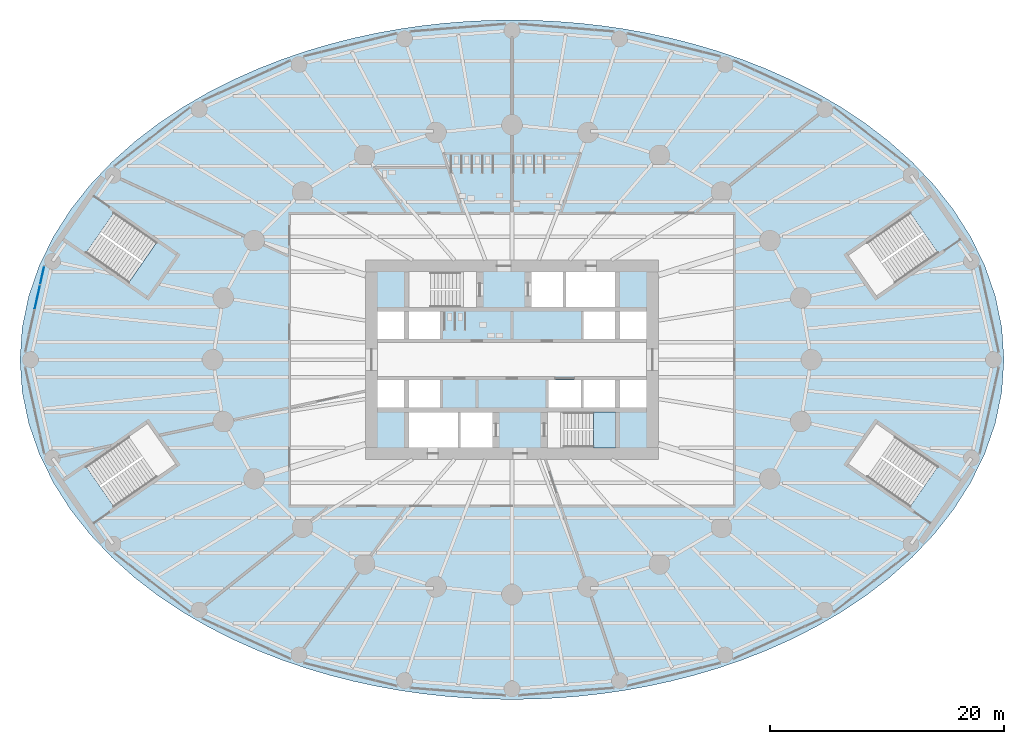
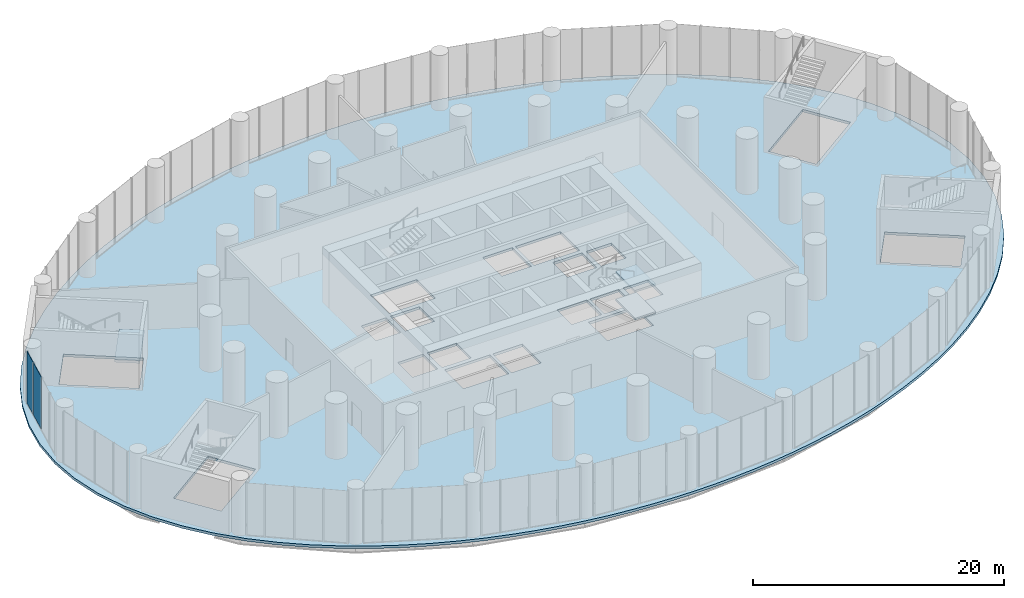
# One storey, part 14 of 21: 4 slabs, 2 plates, 3 elements without a shape of their own.
"""IFC4 building model written with IfcOpenShell, lengths in metres."""

from ifc_helpers import new_model, si_unit, direction, frame, origin, origin_2d, place, context, subcontext, project, spatial, polyline, rectangle, outline, extrude, material, layer, layer_set, type_object, element, aggregate, save


model = new_model("IFC4")

# Units and contexts
model_context = context("Model", 3, precision=1e-05, world=origin(), true_north=direction((0.0, 1.0)))
body_context = subcontext(model_context, "Body", "Model", "MODEL_VIEW")
ifc_project = project(units=[si_unit("LENGTHUNIT", "METRE"), si_unit("AREAUNIT", "SQUARE_METRE"), si_unit("VOLUMEUNIT", "CUBIC_METRE"), si_unit("PLANEANGLEUNIT", "RADIAN"), si_unit("MASSUNIT", "GRAM", prefix="KILO")], contexts=[model_context])

# Site, building, storey
site_placement = place(None, origin())
site = spatial("IfcSite", under=ifc_project, at=site_placement, CompositionType="ELEMENT")
building_placement = place(site_placement, origin())
building = spatial("IfcBuilding", under=site, at=building_placement, Name="Hankou Lantern Tower", CompositionType="ELEMENT")
storey_placement = place(building_placement, frame((0.0, 0.0, 13.800048828125)))
storey = spatial("IfcBuildingStorey", under=building, at=storey_placement, Name="L02", CompositionType="ELEMENT", Elevation=13.800048828125)

# Curtain wall, plates
ifc_material_1 = material(Name="Glass, dark grey tinted laminated", Category="glass")
curtain_wall_type = type_object("IfcCurtainWallType", Name="CWP PODIUM CURTAIN WALL", PredefinedType="USERDEFINED", material=ifc_material_1)
curtain_wall_placement = place(storey_placement, origin())
curtain_wall = element("IfcCurtainWall", 1, at=curtain_wall_placement, inside=storey, type_object=curtain_wall_type, Name="CWP L02 PC09", ObjectType="PODIUM GLAZING", PredefinedType="USERDEFINED")
ifc_material_2 = material(Name="Glass, dark grey tinted laminated", Category="glass")
ifc_layer_1 = layer(ifc_material_2, 0.037109375)
ifc_layer_set_1 = layer_set([ifc_layer_1], Name="Glass, dark grey tinted laminated")
plate_type = type_object("IfcPlateType", Name="PN2 PODIUM GLASS PANEL", PredefinedType="CURTAIN_PANEL", material=ifc_layer_set_1)
plate_1_placement = place(storey_placement, frame((-40.105224609375, 7.214599609375, 0.080078125), z_axis=(0.0, 0.0, 1.0), x_axis=(-0.215821488116, -0.976432837049, 0.0)))
plate_1 = element("IfcPlate", 2, at=plate_1_placement, type_object=plate_type, Name="CWP glass panel 1", PredefinedType="CURTAIN_PANEL", context=body_context, shape_type="SweptSolid", body=[
    extrude(rectangle(XDim=1.5869140625, YDim=0.031982421875, at=origin_2d()), origin(), (0.0, 0.0, 1.0), 5.070068359375),
])
plate_2_placement = place(storey_placement, frame((-40.52099609375, 5.333984375, 0.080078125), z_axis=(0.0, 0.0, 1.0), x_axis=(-0.215821488116, -0.976432837049, 0.0)))
plate_2 = element("IfcPlate", 3, at=plate_2_placement, type_object=plate_type, Name="CWP glass panel 2", PredefinedType="CURTAIN_PANEL", context=body_context, shape_type="SweptSolid", body=[
    extrude(rectangle(XDim=2.105224609375, YDim=0.031982421875, at=origin_2d()), origin(), (0.0, 0.0, 1.0), 5.070068359375),
])
aggregate(curtain_wall, [plate_1, plate_2])

# Slab
ifc_material_3 = material(Name="Concrete C50", Category="concrete")
ifc_layer_2 = layer(ifc_material_3, 0.25)
ifc_layer_set_2 = layer_set([ifc_layer_2], Name="Concrete C50")
slab_type_1 = type_object("IfcSlabType", Name="S2 HEAVY FLOOR SLAB 250", PredefinedType="FLOOR", material=ifc_layer_set_2)
slab_1_placement = place(storey_placement, frame((0.0, 0.0, -0.25)))
element("IfcSlab", 4, at=slab_1_placement, inside=storey, type_object=slab_type_1, Name="Floor slab L02", PredefinedType="FLOOR", context=body_context, shape_type="SweptSolid", body=[
    extrude(outline(polyline([(42.0, 0.0), (41.81201171875, 2.740478515625), (41.2568359375, 5.431640625), (40.358642578125, 8.02783203125), (39.155029296875, 10.491455078125), (37.69140625, 12.79443359375), (36.016357421875, 14.91845703125), (34.177978515625, 16.854736328125), (32.220458984375, 18.6025390625), (30.181884765625, 20.166748046875), (28.09375, 21.55712890625), (25.981689453125, 22.78515625), (23.864013671875, 23.864013671875), (21.7548828125, 24.806640625), (19.6630859375, 25.62548828125), (17.594970703125, 26.33251953125), (15.552978515625, 26.9384765625), (13.537841796875, 27.4521484375), (11.549072265625, 27.882080078125), (9.58447265625, 28.23486328125), (7.640869140625, 28.51611328125), (5.71484375, 28.730224609375), (3.80224609375, 28.880859375), (1.89892578125, 28.970458984375), (0.0, 29.0), (-1.89892578125, 28.970458984375), (-3.80224609375, 28.880859375), (-5.71484375, 28.730224609375), (-7.640869140625, 28.51611328125), (-9.58447265625, 28.23486328125), (-11.549072265625, 27.882080078125), (-13.537841796875, 27.4521484375), (-15.552978515625, 26.9384765625), (-17.594970703125, 26.33251953125), (-19.6630859375, 25.62548828125), (-21.7548828125, 24.806640625), (-23.864013671875, 23.864013671875), (-25.981689453125, 22.78515625), (-28.09375, 21.55712890625), (-30.181884765625, 20.166748046875), (-32.220458984375, 18.6025390625), (-34.177978515625, 16.854736328125), (-36.016357421875, 14.91845703125), (-37.69140625, 12.79443359375), (-39.155029296875, 10.491455078125), (-40.358642578125, 8.02783203125), (-41.2568359375, 5.431640625), (-41.81201171875, 2.740478515625), (-42.0, 0.0), (-41.81201171875, -2.740478515625), (-41.2568359375, -5.431640625), (-40.358642578125, -8.02783203125), (-39.155029296875, -10.491455078125), (-37.69140625, -12.79443359375), (-36.016357421875, -14.91845703125), (-34.177978515625, -16.854736328125), (-32.220458984375, -18.6025390625), (-30.181884765625, -20.166748046875), (-28.09375, -21.55712890625), (-25.981689453125, -22.78515625), (-23.864013671875, -23.864013671875), (-21.7548828125, -24.806640625), (-19.6630859375, -25.62548828125), (-17.594970703125, -26.33251953125), (-15.552978515625, -26.9384765625), (-13.537841796875, -27.4521484375), (-11.549072265625, -27.882080078125), (-9.58447265625, -28.23486328125), (-7.640869140625, -28.51611328125), (-5.71484375, -28.730224609375), (-3.80224609375, -28.880859375), (-1.89892578125, -28.970458984375), (0.0, -29.0), (1.89892578125, -28.970458984375), (3.80224609375, -28.880859375), (5.71484375, -28.730224609375), (7.640869140625, -28.51611328125), (9.58447265625, -28.23486328125), (11.549072265625, -27.882080078125), (13.537841796875, -27.4521484375), (15.552978515625, -26.9384765625), (17.594970703125, -26.33251953125), (19.6630859375, -25.62548828125), (21.7548828125, -24.806640625), (23.864013671875, -23.864013671875), (25.981689453125, -22.78515625), (28.09375, -21.55712890625), (30.181884765625, -20.166748046875), (32.220458984375, -18.6025390625), (34.177978515625, -16.854736328125), (36.016357421875, -14.91845703125), (37.69140625, -12.79443359375), (39.155029296875, -10.491455078125), (40.358642578125, -8.02783203125), (41.2568359375, -5.431640625), (41.81201171875, -2.740478515625), (42.0, 0.0)]), holes=[polyline([(-11.5, 4.10009765625), (-9.199951171875, 4.10009765625), (-9.199951171875, 1.75), (-11.5, 1.75), (-11.5, 4.10009765625)]), polyline([(-8.800048828125, 4.10009765625), (-6.125, 4.10009765625), (-6.125, 1.75), (-8.800048828125, 1.75), (-8.800048828125, 4.10009765625)]), polyline([(6.125, 4.10009765625), (8.800048828125, 4.10009765625), (8.800048828125, 1.75), (6.125, 1.75), (6.125, 4.10009765625)]), polyline([(9.199951171875, 4.10009765625), (11.5, 4.10009765625), (11.5, 1.75), (9.199951171875, 1.75), (9.199951171875, 4.10009765625)]), polyline([(-11.5, -1.75), (-9.199951171875, -1.75), (-9.199951171875, -4.10009765625), (-11.5, -4.10009765625), (-11.5, -1.75)]), polyline([(-8.800048828125, -1.75), (-6.125, -1.75), (-6.125, -4.10009765625), (-8.800048828125, -4.10009765625), (-8.800048828125, -1.75)]), polyline([(3.125, -1.75), (5.875, -1.75), (5.875, -4.10009765625), (3.125, -4.10009765625), (3.125, -1.75)]), polyline([(6.125, -1.75), (8.800048828125, -1.75), (8.800048828125, -4.10009765625), (6.125, -4.10009765625), (6.125, -1.75)]), polyline([(9.199951171875, -1.75), (11.5, -1.75), (11.5, -4.10009765625), (9.199951171875, -4.10009765625), (9.199951171875, -1.75)]), polyline([(1.64990234375, 7.5), (4.375, 7.5), (4.375, 4.5), (1.64990234375, 4.5), (1.64990234375, 7.5)]), polyline([(-4.375, -4.5), (-1.64990234375, -4.5), (-1.64990234375, -7.5), (-4.375, -7.5), (-4.375, -4.5)]), polyline([(-8.699951171875, 7.449951171875), (-4.449951171875, 7.449951171875), (-4.449951171875, 4.5), (-8.699951171875, 4.5), (-8.699951171875, 7.449951171875)]), polyline([(4.449951171875, -4.5), (8.699951171875, -4.5), (8.699951171875, -7.449951171875), (4.449951171875, -7.449951171875), (4.449951171875, -4.5)]), polyline([(4.625, 7.5), (8.800048828125, 7.5), (8.800048828125, 4.5), (4.625, 4.5), (4.625, 7.5)]), polyline([(-8.800048828125, -4.5), (-4.625, -4.5), (-4.625, -7.5), (-8.800048828125, -7.5), (-8.800048828125, -4.5)]), polyline([(31.104248046875, 5.451904296875), (28.7060546875, 8.899658203125), (33.968017578125, 12.56005859375), (36.366455078125, 9.112060546875), (31.104248046875, 5.451904296875)]), polyline([(-28.7060546875, 8.899658203125), (-31.104248046875, 5.451904296875), (-36.366455078125, 9.112060546875), (-33.968017578125, 12.56005859375), (-28.7060546875, 8.899658203125)]), polyline([(-31.104248046875, -5.451904296875), (-28.7060546875, -8.899658203125), (-33.968017578125, -12.56005859375), (-36.366455078125, -9.112060546875), (-31.104248046875, -5.451904296875)]), polyline([(28.7060546875, -8.899658203125), (31.104248046875, -5.451904296875), (36.366455078125, -9.112060546875), (33.968017578125, -12.56005859375), (28.7060546875, -8.899658203125)])]), origin(), (0.0, 0.0, 1.0), 0.25),
])

# Stair, slabs
ifc_material_4 = material(Name="Concrete C40", Category="concrete")
stair_type_1 = type_object("IfcStairType", Name="ST54 CORE STAIR 5400 RISE", PredefinedType="HALF_TURN_STAIR", material=ifc_material_4)
stair_1_placement = place(storey_placement, origin())
stair_1 = element("IfcStair", 5, at=stair_1_placement, inside=storey, type_object=stair_type_1, Name="Stair STB L02", PredefinedType="HALF_TURN_STAIR")
ifc_material_5 = material(Name="Concrete C40", Category="concrete")
ifc_layer_3 = layer(ifc_material_5, 0.199951171875)
ifc_layer_set_3 = layer_set([ifc_layer_3], Name="Concrete C40")
slab_type_2 = type_object("IfcSlabType", Name="SL1 STAIR LANDING 200", PredefinedType="LANDING", material=ifc_layer_set_3)
slab_2_placement = place(storey_placement, frame((0.0, 0.0, 1.14990234375)))
slab_2 = element("IfcSlab", 6, at=slab_2_placement, type_object=slab_type_2, Name="STB landing 1", PredefinedType="LANDING", context=body_context, shape_type="SweptSolid", body=[
    extrude(outline(polyline([(8.85009765625, -4.449951171875), (6.949951171875, -4.449951171875), (6.949951171875, -7.550048828125), (8.85009765625, -7.550048828125), (8.85009765625, -4.449951171875)])), origin(), (0.0, 0.0, 1.0), 0.199951171875),
])
slab_3_placement = place(storey_placement, frame((0.0, 0.0, 3.849853515625)))
slab_3 = element("IfcSlab", 7, at=slab_3_placement, type_object=slab_type_2, Name="STB landing 3", PredefinedType="LANDING", context=body_context, shape_type="SweptSolid", body=[
    extrude(outline(polyline([(8.85009765625, -4.449951171875), (6.949951171875, -4.449951171875), (6.949951171875, -7.550048828125), (8.85009765625, -7.550048828125), (8.85009765625, -4.449951171875)])), origin(), (0.0, 0.0, 1.0), 0.2001953125),
])
aggregate(stair_1, [slab_2, slab_3])

# Stair, slab
ifc_material_6 = material(Name="Concrete C40", Category="concrete")
stair_type_2 = type_object("IfcStairType", Name="PS54 PODIUM STAIR 5400 RISE", PredefinedType="HALF_TURN_STAIR", material=ifc_material_6)
stair_2_placement = place(storey_placement, origin())
stair_2 = element("IfcStair", 8, at=stair_2_placement, inside=storey, type_object=stair_type_2, Name="Stair P2 L02", PredefinedType="HALF_TURN_STAIR")
ifc_material_7 = material(Name="Concrete C40", Category="concrete")
ifc_layer_4 = layer(ifc_material_7, 0.25)
ifc_layer_set_4 = layer_set([ifc_layer_4], Name="Concrete C40")
slab_type_3 = type_object("IfcSlabType", Name="SL2 PODIUM STAIR LANDING 250", PredefinedType="LANDING", material=ifc_layer_set_4)
slab_4_placement = place(storey_placement, frame((0.0, 0.0, 2.449951171875)))
slab_4 = element("IfcSlab", 9, at=slab_4_placement, type_object=slab_type_3, Name="P2 landing 1", PredefinedType="LANDING", context=body_context, shape_type="SweptSolid", body=[
    extrude(outline(polyline([(-30.294677734375, 10.065673828125), (-32.75, 6.53564453125), (-31.091796875, 5.382080078125), (-28.636474609375, 8.912109375), (-30.294677734375, 10.065673828125)])), origin(), (0.0, 0.0, 1.0), 0.25),
])
aggregate(stair_2, [slab_4])

save(model, "model.ifc")
